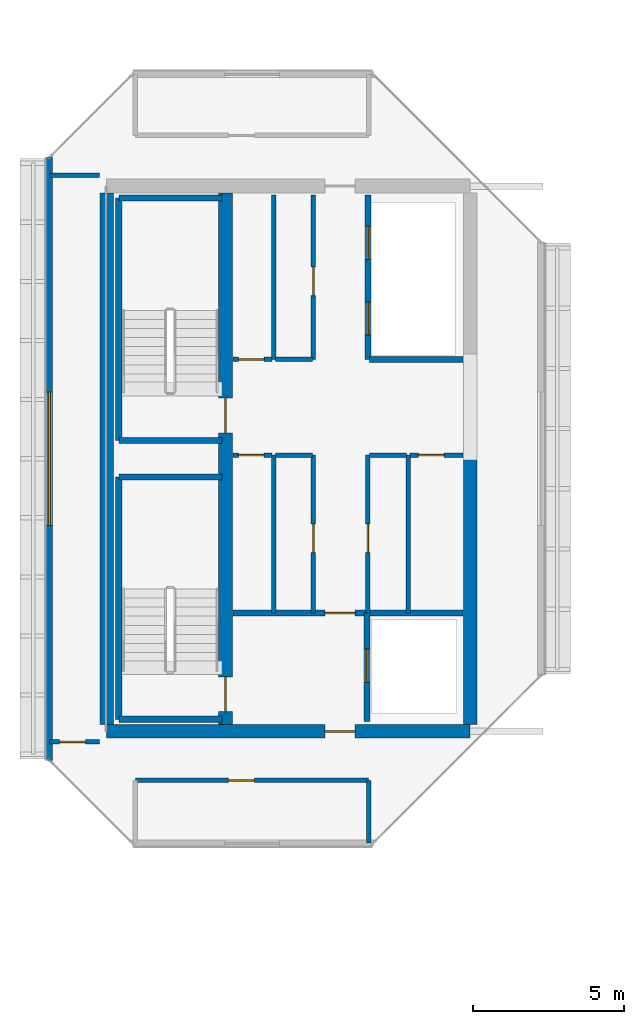
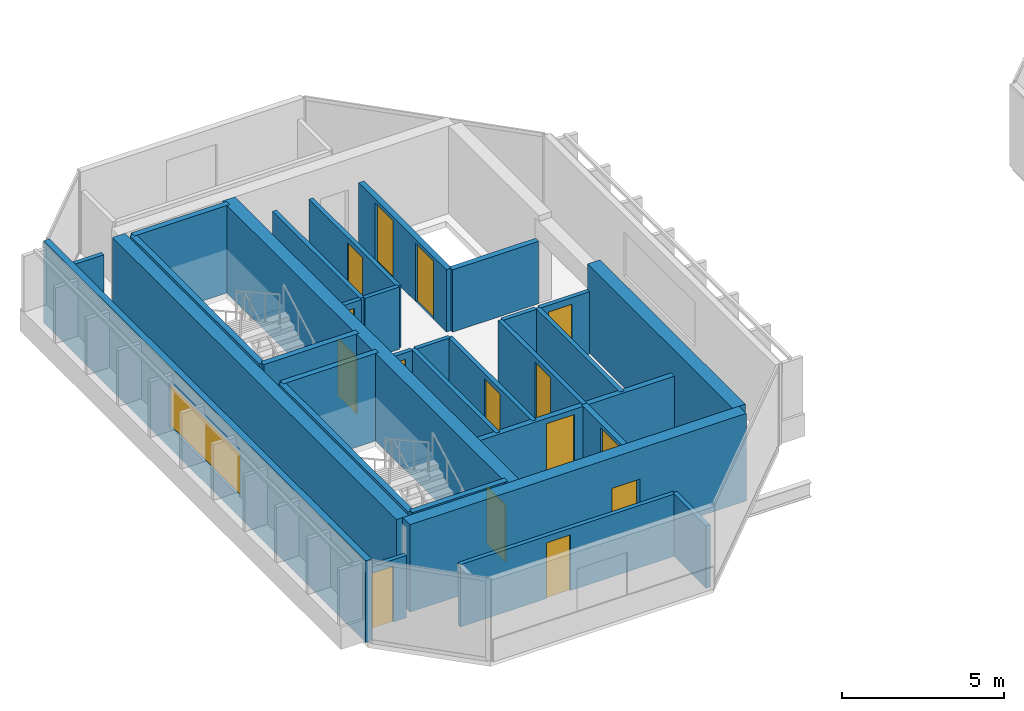
# One storey, part 21 of 29: 31 walls, 15 doors, 1 window, 16 openings.
"""IFC4 building model written with IfcOpenShell, lengths in metres."""

from ifc_helpers import new_model, si_unit, direction, frame, frame_2d, origin, place, context, subcontext, project, spatial, rectangle, extrude, material, layer, layer_set, type_object, element, fill, save


model = new_model("IFC4")

# Units and contexts
model_context = context("Model", 3, precision=1e-05, world=origin(), true_north=direction((0.0, 1.0)))
body_context = subcontext(model_context, "Body", "Model", "MODEL_VIEW")
ifc_project = project(units=[si_unit("LENGTHUNIT", "METRE"), si_unit("AREAUNIT", "SQUARE_METRE"), si_unit("VOLUMEUNIT", "CUBIC_METRE"), si_unit("PLANEANGLEUNIT", "RADIAN"), si_unit("MASSUNIT", "GRAM", prefix="KILO")], contexts=[model_context])

# Site, building, storey
site_placement = place(None, origin())
site = spatial("IfcSite", under=ifc_project, at=site_placement, CompositionType="ELEMENT")
building_placement = place(site_placement, origin())
building = spatial("IfcBuilding", under=site, at=building_placement, Name="Tanjung Sevakor Pilgrim Tower", CompositionType="ELEMENT")
storey_placement = place(building_placement, frame((0.0, 0.0, 232.64990234375)))
storey = spatial("IfcBuildingStorey", under=building, at=storey_placement, Name="L65", CompositionType="ELEMENT", Elevation=232.64990234375)

# Wall, opening, door
ifc_material_1 = material(Name="Concrete C60/75", Category="concrete")
ifc_layer_1 = layer(ifc_material_1, 0.449951171875)
ifc_layer_set_1 = layer_set([ifc_layer_1], Name="WALL-CW-450")
wall_type_1 = type_object("IfcWallType", Name="WALL-CW-450", PredefinedType="SHEAR", material=ifc_layer_set_1)
wall_1_placement = place(storey_placement, frame((24.0, 24.60009765625, 0.0), z_axis=(0.0, 0.0, 1.0), x_axis=(1.0, 0.0, 0.0)))
wall_1 = element("IfcWall", 1, at=wall_1_placement, inside=storey, type_object=wall_type_1, Name="L65 W Core South Shear Wall", PredefinedType="SHEAR", context=body_context, shape_type="SweptSolid", body=[
    extrude(rectangle(XDim=12.0, YDim=0.449951171875, at=frame_2d((6.0, 0.0))), origin(), (0.0, 0.0, 1.0), 3.300048828125),
])
opening_1_placement = place(wall_1_placement, frame((7.199951171875, 0.0, 0.0)))
opening_1 = element("IfcOpeningElement", 2, at=opening_1_placement, cuts=wall_1, Name="Opening ID-FD1", PredefinedType="OPENING", context=body_context, shape_type="SweptSolid", body=[
    extrude(rectangle(XDim=1.0, YDim=2.14990234375, at=frame_2d((0.5, 1.074951171875))), frame((0.0, 0.23486328125, 0.0), z_axis=(0.0, -1.0, 0.0), x_axis=(1.0, 0.0, 0.0)), (0.0, 0.0, 1.0), 0.469970703125),
])
ifc_material_2 = material(Name="Fire-Rated Steel S355J2", Category="steel")
door_type_1 = type_object("IfcDoorType", Name="DT-FIRE-1000", OperationType="NOTDEFINED", PredefinedType="DOOR", material=ifc_material_2)
door_1_placement = place(opening_1_placement, origin())
door_1 = element("IfcDoor", 3, at=door_1_placement, inside=storey, type_object=door_type_1, Name="L65 West Core South Vestibule Fire Door", OperationType="SINGLE_SWING_LEFT", OverallHeight=2.14990234375, OverallWidth=1.0, PredefinedType="DOOR", context=body_context, shape_type="SweptSolid", body=[
    extrude(rectangle(XDim=1.0, YDim=2.14990234375, at=frame_2d((0.5, 1.074951171875))), frame((0.0, 0.02490234375, 0.0), z_axis=(0.0, -1.0, 0.0), x_axis=(1.0, 0.0, 0.0)), (0.0, 0.0, 1.0), 0.050048828125),
])
fill(opening_1, door_1)

# Walls
wall_2_placement = place(storey_placement, frame((24.0, 24.824951171875, 0.0), z_axis=(0.0, 0.0, 1.0), x_axis=(0.0, 1.0, 0.0)))
element("IfcWall", 4, at=wall_2_placement, inside=storey, type_object=wall_type_1, Name="L65 W Core Outer Shear Wall", PredefinedType="SHEAR", context=body_context, shape_type="SweptSolid", body=[
    extrude(rectangle(XDim=17.550048828125, YDim=0.449951171875, at=frame_2d((8.77490234375, 0.0))), origin(), (0.0, 0.0, 1.0), 3.300048828125),
])
wall_3_placement = place(storey_placement, frame((36.0, 24.824951171875, 0.0), z_axis=(0.0, 0.0, 1.0), x_axis=(0.0, 1.0, 0.0)))
element("IfcWall", 5, at=wall_3_placement, inside=storey, type_object=wall_type_1, Name="L65 W Core Inner Shear Wall South", PredefinedType="SHEAR", context=body_context, shape_type="SweptSolid", body=[
    extrude(rectangle(XDim=8.97509765625, YDim=0.449951171875, at=frame_2d((4.487548828125, 0.0))), origin(), (0.0, 0.0, 1.0), 3.300048828125),
])

# Wall, openings, doors
wall_4_placement = place(storey_placement, frame((27.925048828125, 24.824951171875, 0.0), z_axis=(0.0, 0.0, 1.0), x_axis=(0.0, 1.0, 0.0)))
wall_4 = element("IfcWall", 6, at=wall_4_placement, inside=storey, type_object=wall_type_1, Name="L65 W Core Stair Spine Wall", PredefinedType="SHEAR", context=body_context, shape_type="SweptSolid", body=[
    extrude(rectangle(XDim=17.550048828125, YDim=0.449951171875, at=frame_2d((8.77490234375, 0.0))), origin(), (0.0, 0.0, 1.0), 3.300048828125),
])
opening_2_placement = place(wall_4_placement, frame((0.425048828125, 0.0, 0.0)))
opening_2 = element("IfcOpeningElement", 7, at=opening_2_placement, cuts=wall_4, Name="Opening ID-ST1", PredefinedType="OPENING", context=body_context, shape_type="SweptSolid", body=[
    extrude(rectangle(XDim=1.14990234375, YDim=2.14990234375, at=frame_2d((0.574951171875, 1.074951171875))), frame((0.0, 0.23486328125, 0.0), z_axis=(0.0, -1.0, 0.0), x_axis=(1.0, 0.0, 0.0)), (0.0, 0.0, 1.0), 0.469970703125),
])
opening_3_placement = place(wall_4_placement, frame((9.625, 0.0, 0.0)))
opening_3 = element("IfcOpeningElement", 8, at=opening_3_placement, cuts=wall_4, Name="Opening ID-ST1", PredefinedType="OPENING", context=body_context, shape_type="SweptSolid", body=[
    extrude(rectangle(XDim=1.14990234375, YDim=2.14990234375, at=frame_2d((0.574951171875, 1.074951171875))), frame((0.0, 0.23486328125, 0.0), z_axis=(0.0, -1.0, 0.0), x_axis=(1.0, 0.0, 0.0)), (0.0, 0.0, 1.0), 0.469970703125),
])
ifc_material_3 = material(Name="Fire-Rated Steel S355J2", Category="steel")
door_type_2 = type_object("IfcDoorType", Name="DT-FIRE-1150", OperationType="NOTDEFINED", PredefinedType="DOOR", material=ifc_material_3)
door_2_placement = place(opening_2_placement, origin())
door_2 = element("IfcDoor", 9, at=door_2_placement, inside=storey, type_object=door_type_2, Name="L65 TS-W1 Stair Fire Door", OperationType="SINGLE_SWING_RIGHT", OverallHeight=2.14990234375, OverallWidth=1.14990234375, PredefinedType="DOOR", context=body_context, shape_type="SweptSolid", body=[
    extrude(rectangle(XDim=1.14990234375, YDim=2.14990234375, at=frame_2d((0.574951171875, 1.074951171875))), frame((0.0, 0.02490234375, 0.0), z_axis=(0.0, -1.0, 0.0), x_axis=(1.0, 0.0, 0.0)), (0.0, 0.0, 1.0), 0.050048828125),
])
fill(opening_2, door_2)
door_3_placement = place(opening_3_placement, origin())
door_3 = element("IfcDoor", 10, at=door_3_placement, inside=storey, type_object=door_type_2, Name="L65 TS-W2 Stair Fire Door", OperationType="SINGLE_SWING_LEFT", OverallHeight=2.14990234375, OverallWidth=1.14990234375, PredefinedType="DOOR", context=body_context, shape_type="SweptSolid", body=[
    extrude(rectangle(XDim=1.14990234375, YDim=2.14990234375, at=frame_2d((0.574951171875, 1.074951171875))), frame((0.0, 0.02490234375, 0.0), z_axis=(0.0, -1.0, 0.0), x_axis=(1.0, 0.0, 0.0)), (0.0, 0.0, 1.0), 0.050048828125),
])
fill(opening_3, door_3)

# Wall
ifc_material_4 = material(Name="Concrete C40/50", Category="concrete")
ifc_layer_2 = layer(ifc_material_4, 0.14990234375)
ifc_layer_set_2 = layer_set([ifc_layer_2], Name="WT-COMP-150")
wall_type_2 = type_object("IfcWallType", Name="WT-COMP-150", PredefinedType="SOLIDWALL", material=ifc_layer_set_2)
wall_5_placement = place(storey_placement, frame((29.52001953125, 28.5, 0.0), z_axis=(0.0, 0.0, 1.0), x_axis=(0.0, 1.0, 0.0)))
element("IfcWall", 11, at=wall_5_placement, inside=storey, type_object=wall_type_2, Name="L65 Partition IW-L65-003", PredefinedType="SOLIDWALL", context=body_context, shape_type="SweptSolid", body=[
    extrude(rectangle(XDim=5.219970703125, YDim=0.14990234375, at=frame_2d((2.60986328125, 0.0))), origin(), (0.0, 0.0, 1.0), 2.35009765625),
])

# Wall, opening, door
wall_6_placement = place(storey_placement, frame((28.169921875, 33.719970703125, 0.0), z_axis=(0.0, 0.0, 1.0), x_axis=(1.0, 0.0, 0.0)))
wall_6 = element("IfcWall", 12, at=wall_6_placement, inside=storey, type_object=wall_type_2, Name="L65 Partition IW-L65-004", PredefinedType="SOLIDWALL", context=body_context, shape_type="SweptSolid", body=[
    extrude(rectangle(XDim=1.280029296875, YDim=0.14990234375, at=frame_2d((0.64013671875, 0.0))), origin(), (0.0, 0.0, 1.0), 2.35009765625),
])
opening_4_placement = place(wall_6_placement, frame((0.179931640625, 0.0, 0.0)))
opening_4 = element("IfcOpeningElement", 13, at=opening_4_placement, cuts=wall_6, Name="Opening ID-FD3", PredefinedType="OPENING", context=body_context, shape_type="SweptSolid", body=[
    extrude(rectangle(XDim=0.85009765625, YDim=2.10009765625, at=frame_2d((0.425048828125, 1.050048828125))), frame((0.0, 0.0849609375, 0.0), z_axis=(0.0, -1.0, 0.0), x_axis=(1.0, 0.0, 0.0)), (0.0, 0.0, 1.0), 0.169921875),
])
ifc_material_5 = material(Name="Fire-Rated Timber", Category="wood")
door_type_3 = type_object("IfcDoorType", Name="DT-FIRE-850", OperationType="NOTDEFINED", PredefinedType="DOOR", material=ifc_material_5)
door_4_placement = place(opening_4_placement, origin())
door_4 = element("IfcDoor", 14, at=door_4_placement, inside=storey, type_object=door_type_3, Name="L65 Cleaner Store Door", OperationType="SINGLE_SWING_LEFT", OverallHeight=2.10009765625, OverallWidth=0.85009765625, PredefinedType="DOOR", context=body_context, shape_type="SweptSolid", body=[
    extrude(rectangle(XDim=0.85009765625, YDim=2.10009765625, at=frame_2d((0.425048828125, 1.050048828125))), frame((0.0, 0.02490234375, 0.0), z_axis=(0.0, -1.0, 0.0), x_axis=(1.0, 0.0, 0.0)), (0.0, 0.0, 1.0), 0.050048828125),
])
fill(opening_4, door_4)

# Wall
wall_7_placement = place(storey_placement, frame((29.580078125, 33.719970703125, 0.0), z_axis=(0.0, 0.0, 1.0), x_axis=(1.0, 0.0, 0.0)))
element("IfcWall", 15, at=wall_7_placement, inside=storey, type_object=wall_type_2, Name="L65 Partition IW-L65-005", PredefinedType="SOLIDWALL", context=body_context, shape_type="SweptSolid", body=[
    extrude(rectangle(XDim=1.219970703125, YDim=0.14990234375, at=frame_2d((0.60986328125, 0.0))), origin(), (0.0, 0.0, 1.0), 2.35009765625),
])

# Wall, opening, door
wall_8_placement = place(storey_placement, frame((30.820068359375, 28.5, 0.0), z_axis=(0.0, 0.0, 1.0), x_axis=(0.0, 1.0, 0.0)))
wall_8 = element("IfcWall", 16, at=wall_8_placement, inside=storey, type_object=wall_type_2, Name="L65 Partition IW-L65-006", PredefinedType="SOLIDWALL", context=body_context, shape_type="SweptSolid", body=[
    extrude(rectangle(XDim=5.219970703125, YDim=0.14990234375, at=frame_2d((2.60986328125, 0.0))), origin(), (0.0, 0.0, 1.0), 2.35009765625),
])
opening_5_placement = place(wall_8_placement, frame((2.0, 0.0, 0.0)))
opening_5 = element("IfcOpeningElement", 17, at=opening_5_placement, cuts=wall_8, Name="Opening ID-FD2", PredefinedType="OPENING", context=body_context, shape_type="SweptSolid", body=[
    extrude(rectangle(XDim=0.949951171875, YDim=2.14990234375, at=frame_2d((0.47509765625, 1.074951171875))), frame((0.0, 0.0849609375, 0.0), z_axis=(0.0, -1.0, 0.0), x_axis=(1.0, 0.0, 0.0)), (0.0, 0.0, 1.0), 0.169921875),
])
ifc_material_6 = material(Name="Fire-Rated Timber", Category="wood")
door_type_4 = type_object("IfcDoorType", Name="DT-FIRE-950", OperationType="NOTDEFINED", PredefinedType="DOOR", material=ifc_material_6)
door_5_placement = place(opening_5_placement, origin())
door_5 = element("IfcDoor", 18, at=door_5_placement, inside=storey, type_object=door_type_4, Name="L65 Housekeeping Pantry Door", OperationType="SINGLE_SWING_RIGHT", OverallHeight=2.14990234375, OverallWidth=0.949951171875, PredefinedType="DOOR", context=body_context, shape_type="SweptSolid", body=[
    extrude(rectangle(XDim=0.949951171875, YDim=2.14990234375, at=frame_2d((0.47509765625, 1.074951171875))), frame((0.0, 0.02490234375, 0.0), z_axis=(0.0, -1.0, 0.0), x_axis=(1.0, 0.0, 0.0)), (0.0, 0.0, 1.0), 0.050048828125),
])
fill(opening_5, door_5)

# Walls
wall_9_placement = place(storey_placement, frame((33.949951171875, 28.5, 0.0), z_axis=(0.0, 0.0, 1.0), x_axis=(0.0, 1.0, 0.0)))
element("IfcWall", 19, at=wall_9_placement, inside=storey, type_object=wall_type_2, Name="L65 Partition IW-L65-007", PredefinedType="SOLIDWALL", context=body_context, shape_type="SweptSolid", body=[
    extrude(rectangle(XDim=5.219970703125, YDim=0.14990234375, at=frame_2d((2.60986328125, 0.0))), origin(), (0.0, 0.0, 1.0), 2.35009765625),
])
wall_10_placement = place(storey_placement, frame((32.679931640625, 33.719970703125, 0.0), z_axis=(0.0, 0.0, 1.0), x_axis=(1.0, 0.0, 0.0)))
element("IfcWall", 20, at=wall_10_placement, inside=storey, type_object=wall_type_2, Name="L65 Partition IW-L65-008", PredefinedType="SOLIDWALL", context=body_context, shape_type="SweptSolid", body=[
    extrude(rectangle(XDim=1.2099609375, YDim=0.14990234375, at=frame_2d((0.60498046875, 0.0))), origin(), (0.0, 0.0, 1.0), 2.35009765625),
])

# Wall, opening, door
wall_11_placement = place(storey_placement, frame((34.010009765625, 33.719970703125, 0.0), z_axis=(0.0, 0.0, 1.0), x_axis=(1.0, 0.0, 0.0)))
wall_11 = element("IfcWall", 21, at=wall_11_placement, inside=storey, type_object=wall_type_2, Name="L65 Partition IW-L65-009", PredefinedType="SOLIDWALL", context=body_context, shape_type="SweptSolid", body=[
    extrude(rectangle(XDim=1.744873046875, YDim=0.14990234375, at=frame_2d((0.87255859375, 0.0))), origin(), (0.0, 0.0, 1.0), 2.35009765625),
])
opening_6_placement = place(wall_11_placement, frame((0.280029296875, 0.0, 0.0)))
opening_6 = element("IfcOpeningElement", 22, at=opening_6_placement, cuts=wall_11, Name="Opening ID-FD3", PredefinedType="OPENING", context=body_context, shape_type="SweptSolid", body=[
    extrude(rectangle(XDim=0.85009765625, YDim=2.10009765625, at=frame_2d((0.425048828125, 1.050048828125))), frame((0.0, 0.0849609375, 0.0), z_axis=(0.0, -1.0, 0.0), x_axis=(1.0, 0.0, 0.0)), (0.0, 0.0, 1.0), 0.169921875),
])
door_6_placement = place(opening_6_placement, origin())
door_6 = element("IfcDoor", 23, at=door_6_placement, inside=storey, type_object=door_type_3, Name="L65 Service Store Door", OperationType="SINGLE_SWING_LEFT", OverallHeight=2.10009765625, OverallWidth=0.85009765625, PredefinedType="DOOR", context=body_context, shape_type="SweptSolid", body=[
    extrude(rectangle(XDim=0.85009765625, YDim=2.10009765625, at=frame_2d((0.425048828125, 1.050048828125))), frame((0.0, 0.02490234375, 0.0), z_axis=(0.0, -1.0, 0.0), x_axis=(1.0, 0.0, 0.0)), (0.0, 0.0, 1.0), 0.050048828125),
])
fill(opening_6, door_6)

wall_12_placement = place(storey_placement, frame((32.6201171875, 28.5, 0.0), z_axis=(0.0, 0.0, 1.0), x_axis=(0.0, 1.0, 0.0)))
wall_12 = element("IfcWall", 24, at=wall_12_placement, inside=storey, type_object=wall_type_2, Name="L65 Partition IW-L65-010", PredefinedType="SOLIDWALL", context=body_context, shape_type="SweptSolid", body=[
    extrude(rectangle(XDim=5.219970703125, YDim=0.14990234375, at=frame_2d((2.60986328125, 0.0))), origin(), (0.0, 0.0, 1.0), 2.35009765625),
])
opening_7_placement = place(wall_12_placement, frame((2.0, 0.0, 0.0)))
opening_7 = element("IfcOpeningElement", 25, at=opening_7_placement, cuts=wall_12, Name="Opening ID-FD2", PredefinedType="OPENING", context=body_context, shape_type="SweptSolid", body=[
    extrude(rectangle(XDim=0.949951171875, YDim=2.14990234375, at=frame_2d((0.47509765625, 1.074951171875))), frame((0.0, 0.0849609375, 0.0), z_axis=(0.0, -1.0, 0.0), x_axis=(1.0, 0.0, 0.0)), (0.0, 0.0, 1.0), 0.169921875),
])
door_7_placement = place(opening_7_placement, origin())
door_7 = element("IfcDoor", 26, at=door_7_placement, inside=storey, type_object=door_type_4, Name="L65 Accessible WC Door", OperationType="SINGLE_SWING_RIGHT", OverallHeight=2.14990234375, OverallWidth=0.949951171875, PredefinedType="DOOR", context=body_context, shape_type="SweptSolid", body=[
    extrude(rectangle(XDim=0.949951171875, YDim=2.14990234375, at=frame_2d((0.47509765625, 1.074951171875))), frame((0.0, 0.02490234375, 0.0), z_axis=(0.0, -1.0, 0.0), x_axis=(1.0, 0.0, 0.0)), (0.0, 0.0, 1.0), 0.050048828125),
])
fill(opening_7, door_7)

# Wall
wall_13_placement = place(storey_placement, frame((29.52001953125, 36.8798828125, 0.0), z_axis=(0.0, 0.0, 1.0), x_axis=(0.0, 1.0, 0.0)))
element("IfcWall", 27, at=wall_13_placement, inside=storey, type_object=wall_type_2, Name="L65 Partition IW-L65-011", PredefinedType="SOLIDWALL", context=body_context, shape_type="SweptSolid", body=[
    extrude(rectangle(XDim=5.420166015625, YDim=0.14990234375, at=frame_2d((2.7099609375, 0.0))), origin(), (0.0, 0.0, 1.0), 2.35009765625),
])

# Wall, opening, door
wall_14_placement = place(storey_placement, frame((28.169921875, 36.8798828125, 0.0), z_axis=(0.0, 0.0, 1.0), x_axis=(1.0, 0.0, 0.0)))
wall_14 = element("IfcWall", 28, at=wall_14_placement, inside=storey, type_object=wall_type_2, Name="L65 Partition IW-L65-012", PredefinedType="SOLIDWALL", context=body_context, shape_type="SweptSolid", body=[
    extrude(rectangle(XDim=1.280029296875, YDim=0.14990234375, at=frame_2d((0.64013671875, 0.0))), origin(), (0.0, 0.0, 1.0), 2.35009765625),
])
opening_8_placement = place(wall_14_placement, frame((0.179931640625, 0.0, 0.0)))
opening_8 = element("IfcOpeningElement", 29, at=opening_8_placement, cuts=wall_14, Name="Opening ID-FD3", PredefinedType="OPENING", context=body_context, shape_type="SweptSolid", body=[
    extrude(rectangle(XDim=0.85009765625, YDim=2.10009765625, at=frame_2d((0.425048828125, 1.050048828125))), frame((0.0, 0.0849609375, 0.0), z_axis=(0.0, -1.0, 0.0), x_axis=(1.0, 0.0, 0.0)), (0.0, 0.0, 1.0), 0.169921875),
])
door_8_placement = place(opening_8_placement, origin())
door_8 = element("IfcDoor", 30, at=door_8_placement, inside=storey, type_object=door_type_3, Name="L65 Service Store Door", OperationType="SINGLE_SWING_LEFT", OverallHeight=2.10009765625, OverallWidth=0.85009765625, PredefinedType="DOOR", context=body_context, shape_type="SweptSolid", body=[
    extrude(rectangle(XDim=0.85009765625, YDim=2.10009765625, at=frame_2d((0.425048828125, 1.050048828125))), frame((0.0, 0.02490234375, 0.0), z_axis=(0.0, -1.0, 0.0), x_axis=(1.0, 0.0, 0.0)), (0.0, 0.0, 1.0), 0.050048828125),
])
fill(opening_8, door_8)

# Wall
wall_15_placement = place(storey_placement, frame((29.580078125, 36.8798828125, 0.0), z_axis=(0.0, 0.0, 1.0), x_axis=(1.0, 0.0, 0.0)))
element("IfcWall", 31, at=wall_15_placement, inside=storey, type_object=wall_type_2, Name="L65 Partition IW-L65-013", PredefinedType="SOLIDWALL", context=body_context, shape_type="SweptSolid", body=[
    extrude(rectangle(XDim=1.219970703125, YDim=0.14990234375, at=frame_2d((0.60986328125, 0.0))), origin(), (0.0, 0.0, 1.0), 2.35009765625),
])

# Wall, opening, door
wall_16_placement = place(storey_placement, frame((30.820068359375, 36.8798828125, 0.0), z_axis=(0.0, 0.0, 1.0), x_axis=(0.0, 1.0, 0.0)))
wall_16 = element("IfcWall", 32, at=wall_16_placement, inside=storey, type_object=wall_type_2, Name="L65 Partition IW-L65-014", PredefinedType="SOLIDWALL", context=body_context, shape_type="SweptSolid", body=[
    extrude(rectangle(XDim=5.420166015625, YDim=0.14990234375, at=frame_2d((2.7099609375, 0.0))), origin(), (0.0, 0.0, 1.0), 2.35009765625),
])
opening_9_placement = place(wall_16_placement, frame((2.10009765625, 0.0, 0.0)))
opening_9 = element("IfcOpeningElement", 33, at=opening_9_placement, cuts=wall_16, Name="Opening ID-FD2", PredefinedType="OPENING", context=body_context, shape_type="SweptSolid", body=[
    extrude(rectangle(XDim=0.949951171875, YDim=2.14990234375, at=frame_2d((0.47509765625, 1.074951171875))), frame((0.0, 0.0849609375, 0.0), z_axis=(0.0, -1.0, 0.0), x_axis=(1.0, 0.0, 0.0)), (0.0, 0.0, 1.0), 0.169921875),
])
door_9_placement = place(opening_9_placement, origin())
door_9 = element("IfcDoor", 34, at=door_9_placement, inside=storey, type_object=door_type_4, Name="L65 Core Reading Room Door", OperationType="SINGLE_SWING_RIGHT", OverallHeight=2.14990234375, OverallWidth=0.949951171875, PredefinedType="DOOR", context=body_context, shape_type="SweptSolid", body=[
    extrude(rectangle(XDim=0.949951171875, YDim=2.14990234375, at=frame_2d((0.47509765625, 1.074951171875))), frame((0.0, 0.02490234375, 0.0), z_axis=(0.0, -1.0, 0.0), x_axis=(1.0, 0.0, 0.0)), (0.0, 0.0, 1.0), 0.050048828125),
])
fill(opening_9, door_9)

wall_17_placement = place(storey_placement, frame((24.949951171875, 22.97998046875, 0.0), z_axis=(0.0, 0.0, 1.0), x_axis=(1.0, 0.0, 0.0)))
wall_17 = element("IfcWall", 35, at=wall_17_placement, inside=storey, type_object=wall_type_2, Name="L65 Partition IW-L65-033", PredefinedType="SOLIDWALL", context=body_context, shape_type="SweptSolid", body=[
    extrude(rectangle(XDim=7.699951171875, YDim=0.14990234375, at=frame_2d((3.85009765625, 0.0))), origin(), (0.0, 0.0, 1.0), 2.35009765625),
])
opening_10_placement = place(wall_17_placement, frame((3.074951171875, 0.0, 0.0)))
opening_10 = element("IfcOpeningElement", 36, at=opening_10_placement, cuts=wall_17, Name="Opening ID-WC1", PredefinedType="OPENING", context=body_context, shape_type="SweptSolid", body=[
    extrude(rectangle(XDim=0.85009765625, YDim=2.10009765625, at=frame_2d((0.425048828125, 1.050048828125))), frame((0.0, 0.0849609375, 0.0), z_axis=(0.0, -1.0, 0.0), x_axis=(1.0, 0.0, 0.0)), (0.0, 0.0, 1.0), 0.169921875),
])
ifc_material_7 = material(Name="Moisture-Resistant Timber", Category="wood")
door_type_5 = type_object("IfcDoorType", Name="DT-INT-850", OperationType="NOTDEFINED", PredefinedType="DOOR", material=ifc_material_7)
door_10_placement = place(opening_10_placement, origin())
door_10 = element("IfcDoor", 37, at=door_10_placement, inside=storey, type_object=door_type_5, Name="L65 West Peak Meditation Door", OperationType="SINGLE_SWING_LEFT", OverallHeight=2.10009765625, OverallWidth=0.85009765625, PredefinedType="DOOR", context=body_context, shape_type="SweptSolid", body=[
    extrude(rectangle(XDim=0.85009765625, YDim=2.10009765625, at=frame_2d((0.425048828125, 1.050048828125))), frame((0.0, 0.02490234375, 0.0), z_axis=(0.0, -1.0, 0.0), x_axis=(1.0, 0.0, 0.0)), (0.0, 0.0, 1.0), 0.050048828125),
])
fill(opening_10, door_10)

# Wall
wall_18_placement = place(storey_placement, frame((32.64990234375, 20.919921875, 0.0), z_axis=(0.0, 0.0, 1.0), x_axis=(0.0, 1.0, 0.0)))
element("IfcWall", 38, at=wall_18_placement, inside=storey, type_object=wall_type_2, Name="L65 Partition IW-L65-035", PredefinedType="SOLIDWALL", context=body_context, shape_type="SweptSolid", body=[
    extrude(rectangle(XDim=2.06005859375, YDim=0.14990234375, at=frame_2d((1.030029296875, 0.0))), origin(), (0.0, 0.0, 1.0), 2.35009765625),
])

# Wall, opening, door
wall_19_placement = place(storey_placement, frame((22.1201171875, 24.25, 0.0), z_axis=(0.0, 0.0, 1.0), x_axis=(1.0, 0.0, 0.0)))
wall_19 = element("IfcWall", 39, at=wall_19_placement, inside=storey, type_object=wall_type_2, Name="L65 Partition IW-L65-036", PredefinedType="SOLIDWALL", context=body_context, shape_type="SweptSolid", body=[
    extrude(rectangle(XDim=1.639892578125, YDim=0.14990234375, at=frame_2d((0.81982421875, 0.0))), origin(), (0.0, 0.0, 1.0), 2.35009765625),
])
opening_11_placement = place(wall_19_placement, frame((0.324951171875, 0.0, 0.0)))
opening_11 = element("IfcOpeningElement", 40, at=opening_11_placement, cuts=wall_19, Name="Opening ID-WC1", PredefinedType="OPENING", context=body_context, shape_type="SweptSolid", body=[
    extrude(rectangle(XDim=0.85009765625, YDim=2.10009765625, at=frame_2d((0.425048828125, 1.050048828125))), frame((0.0, 0.0849609375, 0.0), z_axis=(0.0, -1.0, 0.0), x_axis=(1.0, 0.0, 0.0)), (0.0, 0.0, 1.0), 0.169921875),
])
door_11_placement = place(opening_11_placement, origin())
door_11 = element("IfcDoor", 41, at=door_11_placement, inside=storey, type_object=door_type_5, Name="L65 West Peak Sky Lounge Door", OperationType="SINGLE_SWING_RIGHT", OverallHeight=2.10009765625, OverallWidth=0.85009765625, PredefinedType="DOOR", context=body_context, shape_type="SweptSolid", body=[
    extrude(rectangle(XDim=0.85009765625, YDim=2.10009765625, at=frame_2d((0.425048828125, 1.050048828125))), frame((0.0, 0.02490234375, 0.0), z_axis=(0.0, -1.0, 0.0), x_axis=(1.0, 0.0, 0.0)), (0.0, 0.0, 1.0), 0.050048828125),
])
fill(opening_11, door_11)

# Wall
wall_20_placement = place(storey_placement, frame((22.1201171875, 42.949951171875, 0.0), z_axis=(0.0, 0.0, 1.0), x_axis=(1.0, 0.0, 0.0)))
element("IfcWall", 42, at=wall_20_placement, inside=storey, type_object=wall_type_2, Name="L65 Partition IW-L65-037", PredefinedType="SOLIDWALL", context=body_context, shape_type="SweptSolid", body=[
    extrude(rectangle(XDim=1.639892578125, YDim=0.14990234375, at=frame_2d((0.81982421875, 0.0))), origin(), (0.0, 0.0, 1.0), 2.35009765625),
])

# Wall, opening, window
ifc_material_8 = material(Name="Precast concrete C45/55", Category="concrete")
ifc_layer_3 = layer(ifc_material_8, 0.219970703125)
ifc_layer_set_3 = layer_set([ifc_layer_3], Name="WT-EW-STN4")
wall_type_3 = type_object("IfcWallType", Name="WT-EW-STN4", PredefinedType="SOLIDWALL", material=ifc_layer_set_3)
wall_21_placement = place(storey_placement, frame((22.110107421875, 43.554443359375, 0.0), z_axis=(0.0, 0.0, 1.0), x_axis=(0.0, -1.0, 0.0)))
wall_21 = element("IfcWall", 43, at=wall_21_placement, inside=storey, type_object=wall_type_3, Name="L65 WEST Exterior Wall 7", PredefinedType="SOLIDWALL", context=body_context, shape_type="SweptSolid", body=[
    extrude(rectangle(XDim=19.908935546875, YDim=0.219970703125, at=frame_2d((9.95458984375, 0.0))), origin(), (0.0, 0.0, 1.0), 3.080078125),
])
opening_12_placement = place(wall_21_placement, frame((7.75439453125, 0.0, 0.780029296875)))
opening_12 = element("IfcOpeningElement", 44, at=opening_12_placement, cuts=wall_21, Name="Opening WN-ENDW-1660", PredefinedType="OPENING", context=body_context, shape_type="SweptSolid", body=[
    extrude(rectangle(XDim=4.39990234375, YDim=1.659912109375, at=frame_2d((2.199951171875, 0.830078125))), frame((0.0, 0.119873046875, 0.0), z_axis=(0.0, -1.0, 0.0), x_axis=(1.0, 0.0, 0.0)), (0.0, 0.0, 1.0), 0.239990234375),
])
ifc_material_9 = material(Name="Thermally Broken Aluminium and Low-E Glass", Category="aluminium")
window_type = type_object("IfcWindowType", Name="WTYP-WN-ENDW-1660", PartitioningType="DOUBLE_PANEL_VERTICAL", PredefinedType="WINDOW", material=ifc_material_9)
window_placement = place(opening_12_placement, origin())
window = element("IfcWindow", 45, at=window_placement, inside=storey, type_object=window_type, Name="L65 Facade Window 01", OverallHeight=1.659912109375, OverallWidth=4.39990234375, PartitioningType="SINGLE_PANEL", PredefinedType="WINDOW", context=body_context, shape_type="SweptSolid", body=[
    extrude(rectangle(XDim=4.39990234375, YDim=1.659912109375, at=frame_2d((2.199951171875, 0.830078125))), frame((0.0, 0.030029296875, 0.0), z_axis=(0.0, -1.0, 0.0), x_axis=(1.0, 0.0, 0.0)), (0.0, 0.0, 1.0), 0.06005859375),
])
fill(opening_12, window)

# Walls
ifc_material_10 = material(Name="Concrete C40/50", Category="concrete")
ifc_layer_4 = layer(ifc_material_10, 0.199951171875)
ifc_layer_set_4 = layer_set([ifc_layer_4], Name="WT-FIRE-200")
wall_type_4 = type_object("IfcWallType", Name="WT-FIRE-200", PredefinedType="SOLIDWALL", material=ifc_layer_set_4)
for number, where, z_axis, x_axis, name in (
    (46, (24.39990234375, 25.0, 0.0), (0.0, 0.0, 1.0), (1.0, 0.0, 0.0), "L65 TS-W1 Shaft Wall 1"),
    (47, (27.800048828125, 33.0, 0.0), (0.0, 0.0, 1.0), (-1.0, 0.0, 0.0), "L65 TS-W1 Shaft Wall 2"),
):
    element("IfcWall", number, at=place(storey_placement, frame(where, z_axis=z_axis, x_axis=x_axis)), inside=storey, type_object=wall_type_4, Name=name, PredefinedType="SOLIDWALL", context=body_context, shape_type="SweptSolid", body=[
        extrude(rectangle(XDim=3.400146484375, YDim=0.199951171875, at=frame_2d((1.7001953125, 0.0))), origin(), (0.0, 0.0, 1.0), 3.300048828125),
    ])
wall_22_placement = place(storey_placement, frame((24.39990234375, 33.0, 0.0), z_axis=(0.0, 0.0, 1.0), x_axis=(0.0, -1.0, 0.0)))
element("IfcWall", 48, at=wall_22_placement, inside=storey, type_object=wall_type_4, Name="L65 TS-W1 Shaft Wall 3", PredefinedType="SOLIDWALL", context=body_context, shape_type="SweptSolid", body=[
    extrude(rectangle(XDim=8.0, YDim=0.199951171875, at=frame_2d((4.0, 0.0))), origin(), (0.0, 0.0, 1.0), 3.300048828125),
])
for number, where, z_axis, x_axis, name in (
    (49, (24.39990234375, 34.199951171875, 0.0), (0.0, 0.0, 1.0), (1.0, 0.0, 0.0), "L65 TS-W2 Shaft Wall 1"),
    (50, (27.800048828125, 42.199951171875, 0.0), (0.0, 0.0, 1.0), (-1.0, 0.0, 0.0), "L65 TS-W2 Shaft Wall 2"),
):
    element("IfcWall", number, at=place(storey_placement, frame(where, z_axis=z_axis, x_axis=x_axis)), inside=storey, type_object=wall_type_4, Name=name, PredefinedType="SOLIDWALL", context=body_context, shape_type="SweptSolid", body=[
        extrude(rectangle(XDim=3.400146484375, YDim=0.199951171875, at=frame_2d((1.7001953125, 0.0))), origin(), (0.0, 0.0, 1.0), 3.300048828125),
    ])
wall_23_placement = place(storey_placement, frame((24.39990234375, 42.199951171875, 0.0), z_axis=(0.0, 0.0, 1.0), x_axis=(0.0, -1.0, 0.0)))
element("IfcWall", 51, at=wall_23_placement, inside=storey, type_object=wall_type_4, Name="L65 TS-W2 Shaft Wall 3", PredefinedType="SOLIDWALL", context=body_context, shape_type="SweptSolid", body=[
    extrude(rectangle(XDim=8.0, YDim=0.199951171875, at=frame_2d((4.0, 0.0))), origin(), (0.0, 0.0, 1.0), 3.300048828125),
])

# Wall, opening, door
ifc_material_11 = material(Name="Concrete C40/50", Category="concrete")
ifc_layer_5 = layer(ifc_material_11, 0.199951171875)
ifc_layer_set_5 = layer_set([ifc_layer_5], Name="WT-FPRT-200")
wall_type_5 = type_object("IfcWallType", Name="WT-FPRT-200", PredefinedType="SOLIDWALL", material=ifc_layer_set_5)
wall_24_placement = place(storey_placement, frame((32.60009765625, 24.919921875, 0.0), z_axis=(0.0, 0.0, 1.0), x_axis=(0.0, 1.0, 0.0)))
wall_24 = element("IfcWall", 52, at=wall_24_placement, inside=storey, type_object=wall_type_5, Name="L65 Partition IW-L65-001", PredefinedType="SOLIDWALL", context=body_context, shape_type="SweptSolid", body=[
    extrude(rectangle(XDim=3.580078125, YDim=0.199951171875, at=frame_2d((1.7900390625, 0.0))), origin(), (0.0, 0.0, 1.0), 2.35009765625),
])
opening_13_placement = place(wall_24_placement, frame((1.300048828125, 0.0, 0.0)))
opening_13 = element("IfcOpeningElement", 53, at=opening_13_placement, cuts=wall_24, Name="Opening LD-1100", PredefinedType="OPENING", context=body_context, shape_type="SweptSolid", body=[
    extrude(rectangle(XDim=1.10009765625, YDim=2.199951171875, at=frame_2d((0.550048828125, 1.10009765625))), frame((0.0, 0.10986328125, 0.0), z_axis=(0.0, -1.0, 0.0), x_axis=(1.0, 0.0, 0.0)), (0.0, 0.0, 1.0), 0.219970703125),
])
ifc_material_12 = material(Name="Brushed Stainless Steel S355J2", Category="steel")
door_type_6 = type_object("IfcDoorType", Name="DT-LIFT-1100", OperationType="SLIDING_TO_LEFT", PredefinedType="DOOR", material=ifc_material_12)
door_12_placement = place(opening_13_placement, origin())
door_12 = element("IfcDoor", 54, at=door_12_placement, inside=storey, type_object=door_type_6, Name="LD-FL-W", OperationType="SLIDING_TO_LEFT", OverallHeight=2.199951171875, OverallWidth=1.10009765625, PredefinedType="DOOR", context=body_context, shape_type="SweptSolid", body=[
    extrude(rectangle(XDim=1.10009765625, YDim=2.199951171875, at=frame_2d((0.550048828125, 1.10009765625))), frame((0.0, 0.02490234375, 0.0), z_axis=(0.0, -1.0, 0.0), x_axis=(1.0, 0.0, 0.0)), (0.0, 0.0, 1.0), 0.050048828125),
])
fill(opening_13, door_12)

wall_25_placement = place(storey_placement, frame((28.169921875, 28.5, 0.0), z_axis=(0.0, 0.0, 1.0), x_axis=(1.0, 0.0, 0.0)))
wall_25 = element("IfcWall", 55, at=wall_25_placement, inside=storey, type_object=wall_type_5, Name="L65 Partition IW-L65-002", PredefinedType="SOLIDWALL", context=body_context, shape_type="SweptSolid", body=[
    extrude(rectangle(XDim=7.5849609375, YDim=0.199951171875, at=frame_2d((3.79248046875, 0.0))), origin(), (0.0, 0.0, 1.0), 2.35009765625),
])
opening_14_placement = place(wall_25_placement, frame((3.030029296875, 0.0, 0.0)))
opening_14 = element("IfcOpeningElement", 56, at=opening_14_placement, cuts=wall_25, Name="Opening ID-FD1", PredefinedType="OPENING", context=body_context, shape_type="SweptSolid", body=[
    extrude(rectangle(XDim=1.0, YDim=2.14990234375, at=frame_2d((0.5, 1.074951171875))), frame((0.0, 0.10986328125, 0.0), z_axis=(0.0, -1.0, 0.0), x_axis=(1.0, 0.0, 0.0)), (0.0, 0.0, 1.0), 0.219970703125),
])
door_13_placement = place(opening_14_placement, origin())
door_13 = element("IfcDoor", 57, at=door_13_placement, inside=storey, type_object=door_type_1, Name="Fire Lobby Door W", OperationType="SINGLE_SWING_RIGHT", OverallHeight=2.14990234375, OverallWidth=1.0, PredefinedType="DOOR", context=body_context, shape_type="SweptSolid", body=[
    extrude(rectangle(XDim=1.0, YDim=2.14990234375, at=frame_2d((0.5, 1.074951171875))), frame((0.0, 0.02490234375, 0.0), z_axis=(0.0, -1.0, 0.0), x_axis=(1.0, 0.0, 0.0)), (0.0, 0.0, 1.0), 0.050048828125),
])
fill(opening_14, door_13)

# Wall
wall_26_placement = place(storey_placement, frame((32.679931640625, 36.8798828125, 0.0), z_axis=(0.0, 0.0, 1.0), x_axis=(1.0, 0.0, 0.0)))
element("IfcWall", 58, at=wall_26_placement, inside=storey, type_object=wall_type_5, Name="L65 Partition IW-L65-015", PredefinedType="SOLIDWALL", context=body_context, shape_type="SweptSolid", body=[
    extrude(rectangle(XDim=3.074951171875, YDim=0.199951171875, at=frame_2d((1.53759765625, 0.0))), origin(), (0.0, 0.0, 1.0), 2.35009765625),
])

# Wall, openings, doors
wall_27_placement = place(storey_placement, frame((32.6201171875, 36.8798828125, 0.0), z_axis=(0.0, 0.0, 1.0), x_axis=(0.0, 1.0, 0.0)))
wall_27 = element("IfcWall", 59, at=wall_27_placement, inside=storey, type_object=wall_type_5, Name="L65 Partition IW-L65-016", PredefinedType="SOLIDWALL", context=body_context, shape_type="SweptSolid", body=[
    extrude(rectangle(XDim=5.420166015625, YDim=0.199951171875, at=frame_2d((2.7099609375, 0.0))), origin(), (0.0, 0.0, 1.0), 2.35009765625),
])
opening_15_placement = place(wall_27_placement, frame((0.800048828125, 0.0, 0.0)))
opening_15 = element("IfcOpeningElement", 60, at=opening_15_placement, cuts=wall_27, Name="Opening LD-1100", PredefinedType="OPENING", context=body_context, shape_type="SweptSolid", body=[
    extrude(rectangle(XDim=1.10009765625, YDim=2.199951171875, at=frame_2d((0.550048828125, 1.10009765625))), frame((0.0, 0.10986328125, 0.0), z_axis=(0.0, -1.0, 0.0), x_axis=(1.0, 0.0, 0.0)), (0.0, 0.0, 1.0), 0.219970703125),
])
opening_16_placement = place(wall_27_placement, frame((3.300048828125, 0.0, 0.0)))
opening_16 = element("IfcOpeningElement", 61, at=opening_16_placement, cuts=wall_27, Name="Opening LD-1100", PredefinedType="OPENING", context=body_context, shape_type="SweptSolid", body=[
    extrude(rectangle(XDim=1.10009765625, YDim=2.199951171875, at=frame_2d((0.550048828125, 1.10009765625))), frame((0.0, 0.10986328125, 0.0), z_axis=(0.0, -1.0, 0.0), x_axis=(1.0, 0.0, 0.0)), (0.0, 0.0, 1.0), 0.219970703125),
])
door_14_placement = place(opening_15_placement, origin())
door_14 = element("IfcDoor", 62, at=door_14_placement, inside=storey, type_object=door_type_6, Name="LD-PLH1-W", OperationType="SLIDING_TO_LEFT", OverallHeight=2.199951171875, OverallWidth=1.10009765625, PredefinedType="DOOR", context=body_context, shape_type="SweptSolid", body=[
    extrude(rectangle(XDim=1.10009765625, YDim=2.199951171875, at=frame_2d((0.550048828125, 1.10009765625))), frame((0.0, 0.02490234375, 0.0), z_axis=(0.0, -1.0, 0.0), x_axis=(1.0, 0.0, 0.0)), (0.0, 0.0, 1.0), 0.050048828125),
])
fill(opening_15, door_14)
door_15_placement = place(opening_16_placement, origin())
door_15 = element("IfcDoor", 63, at=door_15_placement, inside=storey, type_object=door_type_6, Name="LD-PLH2-W", OperationType="SLIDING_TO_RIGHT", OverallHeight=2.199951171875, OverallWidth=1.10009765625, PredefinedType="DOOR", context=body_context, shape_type="SweptSolid", body=[
    extrude(rectangle(XDim=1.10009765625, YDim=2.199951171875, at=frame_2d((0.550048828125, 1.10009765625))), frame((0.0, 0.02490234375, 0.0), z_axis=(0.0, -1.0, 0.0), x_axis=(1.0, 0.0, 0.0)), (0.0, 0.0, 1.0), 0.050048828125),
])
fill(opening_16, door_15)

save(model, "model.ifc")
